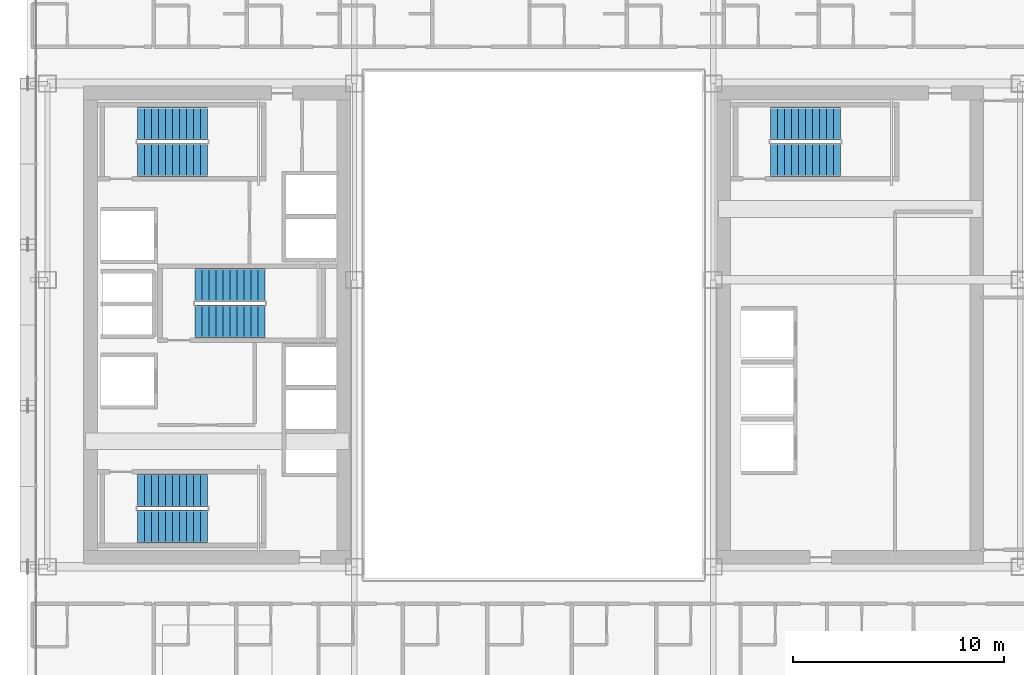
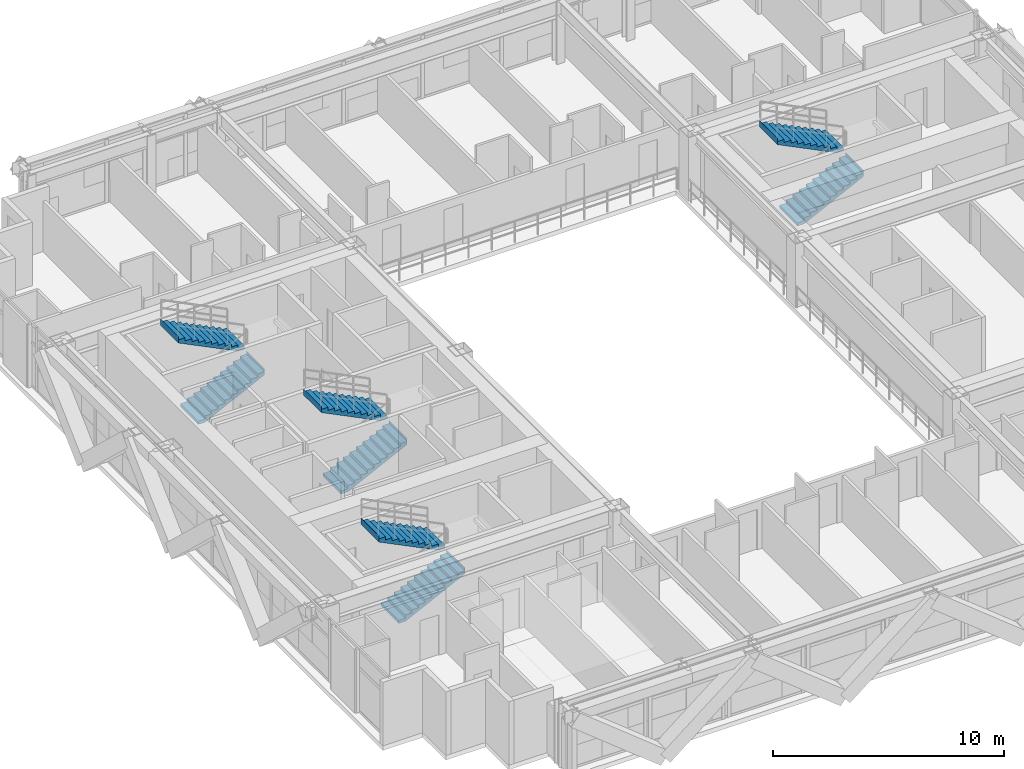
# One storey, part 32 of 36: 8 stair flights, 4 elements without a shape of their own.
"""IFC4 building model written with IfcOpenShell, lengths in metres."""

import ifcopenshell
import ifcopenshell.guid

model = None  # the IFC model being written
_history = None  # IfcOwnerHistory: only IFC2X3 demands one
_inside = {}  # id of a spatial element -> (the spatial element, [elements in it])
_under = {}  # id of a project, library or spatial element -> (it, [spatial elements below it])
_declared = {}  # id of a project -> (the project, [libraries it declares])
_typed = {}  # id of a type object -> (the type object, [elements of that type])
_made_of = {}  # id of a material, layer set ... -> (it, [elements and type objects made of it])


def new_model(schema):
    """Start an empty IFC model of exactly this schema.

    Asked for "IFC4X3", IfcOpenShell would pick the latest addendum, in which some entities
    have other attributes; the version numbers below select the first issue.
    IFC2X3 requires an IfcOwnerHistory on every rooted entity: one is made here for all.
    """
    global model, _history
    if schema == "IFC4X3":
        model = ifcopenshell.file(schema_version=(4, 3, 0, 0))
    else:
        model = ifcopenshell.file(schema=schema)
    _inside.clear()
    _under.clear()
    _declared.clear()
    _typed.clear()
    _made_of.clear()
    _history = None
    if model.schema == "IFC2X3":
        org = make("IfcOrganization", Name="unknown")
        user = make(
            "IfcPersonAndOrganization",
            ThePerson=make("IfcPerson", FamilyName="unknown"),
            TheOrganization=org,
        )
        app = make(
            "IfcApplication",
            ApplicationDeveloper=org,
            Version="unknown",
            ApplicationFullName="unknown",
            ApplicationIdentifier="unknown",
        )
        _history = make(
            "IfcOwnerHistory",
            OwningUser=user,
            OwningApplication=app,
            ChangeAction="ADDED",
            CreationDate=0,
        )
    return model


def make(cls, **values):
    """One entity of the class cls with the attributes given. An attribute that is None is left unset."""
    return model.create_entity(
        cls, **{name: value for name, value in values.items() if value is not None}
    )


def rooted(cls, **values):
    """An entity with a GlobalId (a new one), such as an element, a storey or a relation."""
    return make(cls, GlobalId=ifcopenshell.guid.new(), OwnerHistory=_history, **values)


def si_unit(unit_type, name, prefix=None):
    """IfcSIUnit, for example si_unit("LENGTHUNIT", "METRE", prefix="MILLI")."""
    return make("IfcSIUnit", UnitType=unit_type, Prefix=prefix, Name=name)


def assignment(units):
    """IfcUnitAssignment: the units of a project."""
    return None if units is None else make("IfcUnitAssignment", Units=units)


def point(xyz):
    """IfcCartesianPoint."""
    return None if xyz is None else make("IfcCartesianPoint", Coordinates=xyz)


def direction(xyz):
    """IfcDirection."""
    return None if xyz is None else make("IfcDirection", DirectionRatios=xyz)


def frame(location, z_axis=None, x_axis=None):
    """IfcAxis2Placement3D, a coordinate frame: its origin and axes. An axis left out is left unset."""
    return make(
        "IfcAxis2Placement3D",
        Location=point(location),
        Axis=direction(z_axis),
        RefDirection=direction(x_axis),
    )


def origin():
    """The frame at (0, 0, 0) with its axes left unset."""
    return frame((0.0, 0.0, 0.0))


def place(relative_to, where):
    """IfcLocalPlacement: puts the frame where relative to a parent placement (None: the world)."""
    return make(
        "IfcLocalPlacement", PlacementRelTo=relative_to, RelativePlacement=where
    )


def context(
    kind, dimensions, precision=None, world=None, true_north=None, identifier=None
):
    """IfcGeometricRepresentationContext, for example the 3D "Model" context."""
    return make(
        "IfcGeometricRepresentationContext",
        ContextIdentifier=identifier,
        ContextType=kind,
        CoordinateSpaceDimension=dimensions,
        Precision=precision,
        WorldCoordinateSystem=world,
        TrueNorth=true_north,
    )


def subcontext(parent, identifier, kind, view, scale=None):
    """IfcGeometricRepresentationSubContext, for example "Body" below "Model"."""
    return make(
        "IfcGeometricRepresentationSubContext",
        ContextIdentifier=identifier,
        ContextType=kind,
        ParentContext=parent,
        TargetScale=scale,
        TargetView=view,
    )


def project(units=None, contexts=None):
    """IfcProject with its units and contexts."""
    return rooted(
        "IfcProject",
        Name="project",
        RepresentationContexts=contexts,
        UnitsInContext=assignment(units),
    )


def spatial(cls, under=None, at=None, **own):
    """A site, building, storey or space (cls), placed at a placement, below another one or the project."""
    s = rooted(cls, ObjectPlacement=at, **own)
    if under is not None:
        _under.setdefault(under.id(), (under, []))[1].append(s)
    return s


def polyline(points):
    """IfcPolyline through the points."""
    return make("IfcPolyline", Points=[point(p) for p in points])


def outline(outer, holes=None, kind="AREA"):
    """IfcArbitraryClosedProfileDef: a profile drawn as a closed curve; with holes, ...WithVoids."""
    if holes is None:
        return make("IfcArbitraryClosedProfileDef", ProfileType=kind, OuterCurve=outer)
    return make(
        "IfcArbitraryProfileDefWithVoids",
        ProfileType=kind,
        OuterCurve=outer,
        InnerCurves=holes,
    )


def extrude(swept, where, along, depth):
    """IfcExtrudedAreaSolid: the profile swept, set in the frame where, extruded along a direction by depth."""
    return make(
        "IfcExtrudedAreaSolid",
        SweptArea=swept,
        Position=where,
        ExtrudedDirection=direction(along),
        Depth=depth,
    )


def shape(context_of_items, identifier, shape_type, items):
    """IfcShapeRepresentation: the items that make up one representation, for example the "Body"."""
    return make(
        "IfcShapeRepresentation",
        ContextOfItems=context_of_items,
        RepresentationIdentifier=identifier,
        RepresentationType=shape_type,
        Items=items,
    )


def source(mapping_origin, context_of_items, identifier, shape_type, items):
    """IfcRepresentationMap: a shape defined once, which mapped items show again and again."""
    return make(
        "IfcRepresentationMap",
        MappingOrigin=mapping_origin,
        MappedRepresentation=shape(context_of_items, identifier, shape_type, items),
    )


def transform(
    local_origin,
    x_axis=None,
    y_axis=None,
    z_axis=None,
    scale=None,
    scale2=None,
    scale3=None,
    uniform=True,
):
    """IfcCartesianTransformationOperator3D, or its non-uniform kind. x_axis, y_axis, z_axis: its Axis1, 2, 3."""
    if uniform:
        return make(
            "IfcCartesianTransformationOperator3D",
            Axis1=direction(x_axis),
            Axis2=direction(y_axis),
            LocalOrigin=point(local_origin),
            Scale=scale,
            Axis3=direction(z_axis),
        )
    return make(
        "IfcCartesianTransformationOperator3DnonUniform",
        Axis1=direction(x_axis),
        Axis2=direction(y_axis),
        LocalOrigin=point(local_origin),
        Scale=scale,
        Axis3=direction(z_axis),
        Scale2=scale2,
        Scale3=scale3,
    )


def mapped(mapping_source, mapping_target):
    """IfcMappedItem: shows the shape of a source again, moved by a transform."""
    return make(
        "IfcMappedItem", MappingSource=mapping_source, MappingTarget=mapping_target
    )


def material(Name=None, Category=None):
    """IfcMaterial."""
    return make("IfcMaterial", Name=Name, Category=Category)


def made_of(thing, what):
    """Note that an element or type object is made of a material, layer set ...; save() writes the relation."""
    if what is not None:
        _made_of.setdefault(what.id(), (what, []))[1].append(thing)
    return thing


def type_object(cls, material=None, **own):
    """A type object (cls), such as IfcWallType, which elements share."""
    return made_of(rooted(cls, **own), material)


def element(
    cls,
    number,
    at=None,
    inside=None,
    cuts=None,
    type_object=None,
    material=None,
    context=None,
    identifier="Body",
    shape_type=None,
    held_by="IfcProductDefinitionShape",
    body=None,
    shapes=None,
    **own,
):
    """One element of the class cls, such as IfcWall. Its Tag is "e" and its number.

    at: its placement. inside: the storey or other place that contains it. cuts: it is an
    opening in that element (IfcRelVoidsElement). A single representation is given by context,
    identifier, shape_type and body (its items); several are given by shapes. held_by: the class
    of the entity that holds the representations. save() writes the other relations.
    """
    e = rooted(cls, Tag="e%d" % number, ObjectPlacement=at, **own)
    if body is not None:
        shapes = [shape(context, identifier, shape_type, body)]
    if shapes is not None:
        e.Representation = make(held_by, Representations=shapes)
    if inside is not None:
        _inside.setdefault(inside.id(), (inside, []))[1].append(e)
    if cuts is not None:
        rooted(
            "IfcRelVoidsElement", RelatingBuildingElement=cuts, RelatedOpeningElement=e
        )
    if type_object is not None:
        _typed.setdefault(type_object.id(), (type_object, []))[1].append(e)
    return made_of(e, material)


def aggregate(whole, parts):
    """IfcRelAggregates: a whole, such as a stair, and the parts it consists of."""
    return rooted("IfcRelAggregates", RelatingObject=whole, RelatedObjects=parts)


def save(model, path):
    """Write the relations noted so far, then the file.

    IfcRelAggregates (storeys below a building ...), IfcRelContainedInSpatialStructure (elements
    in a storey), IfcRelDefinesByType, IfcRelAssociatesMaterial and IfcRelDeclares: one each for
    every whole, place, type object, material and project.
    """
    for whole, parts in _under.values():
        aggregate(whole, parts)
    for where, things in _inside.values():
        rooted(
            "IfcRelContainedInSpatialStructure",
            RelatedElements=things,
            RelatingStructure=where,
        )
    for kind, things in _typed.values():
        rooted("IfcRelDefinesByType", RelatedObjects=things, RelatingType=kind)
    for what, things in _made_of.values():
        rooted("IfcRelAssociatesMaterial", RelatedObjects=things, RelatingMaterial=what)
    for by, libraries in _declared.values():
        rooted("IfcRelDeclares", RelatingContext=by, RelatedDefinitions=libraries)
    model.write(path)


model = new_model("IFC4")

# Units and contexts
model_context = context("Model", 3, precision=1e-05, world=origin(), true_north=direction((0.0, 1.0)))
body_context = subcontext(model_context, "Body", "Model", "MODEL_VIEW")
ifc_project = project(units=[si_unit("LENGTHUNIT", "METRE"), si_unit("AREAUNIT", "SQUARE_METRE"), si_unit("VOLUMEUNIT", "CUBIC_METRE"), si_unit("PLANEANGLEUNIT", "RADIAN"), si_unit("MASSUNIT", "GRAM", prefix="KILO")], contexts=[model_context])

# Site, building, storey
site_placement = place(None, origin())
site = spatial("IfcSite", under=ifc_project, at=site_placement, CompositionType="ELEMENT")
building_placement = place(site_placement, origin())
building = spatial("IfcBuilding", under=site, at=building_placement, Name="Ocotamira Hotel", CompositionType="ELEMENT")
storey_placement = place(building_placement, frame((0.0, 0.0, 129.60009765625)))
storey = spatial("IfcBuildingStorey", under=building, at=storey_placement, Name="L32", CompositionType="ELEMENT", Elevation=129.60009765625)

# Stair, stair flights
ifc_material = material(Name="Concrete C40/50", Category="concrete")
stair_type = type_object("IfcStairType", Name="ST-CORE-1560", PredefinedType="HALF_TURN_STAIR", material=ifc_material)
stair_1_placement = place(storey_placement, origin())
stair_1 = element("IfcStair", 1, at=stair_1_placement, inside=storey, type_object=stair_type, Name="L32 Exit Stair ST-1", PredefinedType="HALF_TURN_STAIR")
stair_flight_type = type_object("IfcStairFlightType", Name="STF-CORE-1560", PredefinedType="STRAIGHT", material=ifc_material)
shared_shape = source(origin(), body_context, "Body", "SweptSolid", [
    extrude(outline(polyline([(-0.00390625, 0.0), (-0.00390625, 0.16357421875), (0.330078125, 0.16357421875), (0.330078125, 0.327392578125), (0.659912109375, 0.327392578125), (0.659912109375, 0.490966796875), (0.989990234375, 0.490966796875), (0.989990234375, 0.654541015625), (1.320068359375, 0.654541015625), (1.320068359375, 0.818115234375), (1.64990234375, 0.818115234375), (1.64990234375, 0.98193359375), (1.97998046875, 0.98193359375), (1.97998046875, 1.1455078125), (2.31005859375, 1.1455078125), (2.31005859375, 1.30908203125), (2.639892578125, 1.30908203125), (2.639892578125, 1.47265625), (2.969970703125, 1.47265625), (2.969970703125, 1.636474609375), (3.300048828125, 1.636474609375), (3.300048828125, 1.800048828125), (3.303955078125, 1.800048828125), (3.303955078125, 1.468994140625), (0.33740234375, 0.0), (-0.00390625, 0.0)])), frame((0.0, 0.780029296875, 0.0), z_axis=(0.0, -1.0, 0.0), x_axis=(1.0, 0.0, 0.0)), (0.0, 0.0, 1.0), 1.56005859375),
])
stair_flight_1_placement = place(storey_placement, frame((13.22998046875, 16.449951171875, 0.0), z_axis=(0.0, 0.0, 1.0), x_axis=(1.0, 0.0, 0.0)))
stair_flight_1 = element("IfcStairFlight", 2, at=stair_flight_1_placement, type_object=stair_flight_type, Name="ST-1 flight 1", NumberOfRisers=11, NumberOfTreads=10, PredefinedType="STRAIGHT", RiserHeight=0.163636364, TreadLength=0.33, context=body_context, shape_type="MappedRepresentation", body=[
    mapped(shared_shape, transform((0.0, 0.0, 0.0), scale=1.0)),
])
stair_flight_2_placement = place(storey_placement, frame((16.530029296875, 18.169921875, 1.7998046875), z_axis=(0.0, 0.0, 1.0), x_axis=(-1.0, 0.0, 0.0)))
stair_flight_2 = element("IfcStairFlight", 3, at=stair_flight_2_placement, type_object=stair_flight_type, Name="ST-1 flight 2", NumberOfRisers=11, NumberOfTreads=10, PredefinedType="STRAIGHT", RiserHeight=0.163636364, TreadLength=0.33, context=body_context, shape_type="MappedRepresentation", body=[
    mapped(shared_shape, transform((0.0, 0.0, 0.0), scale=1.0)),
])
aggregate(stair_1, [stair_flight_1, stair_flight_2])

stair_2_placement = place(storey_placement, origin())
stair_2 = element("IfcStair", 4, at=stair_2_placement, inside=storey, type_object=stair_type, Name="L32 Exit Stair ST-2", PredefinedType="HALF_TURN_STAIR")
stair_flight_3_placement = place(storey_placement, frame((13.22998046875, 33.830078125, 0.0), z_axis=(0.0, 0.0, 1.0), x_axis=(1.0, 0.0, 0.0)))
stair_flight_3 = element("IfcStairFlight", 5, at=stair_flight_3_placement, type_object=stair_flight_type, Name="ST-2 flight 1", NumberOfRisers=11, NumberOfTreads=10, PredefinedType="STRAIGHT", RiserHeight=0.163636364, TreadLength=0.33, context=body_context, shape_type="MappedRepresentation", body=[
    mapped(shared_shape, transform((0.0, 0.0, 0.0), scale=1.0)),
])
stair_flight_4_placement = place(storey_placement, frame((16.530029296875, 35.550048828125, 1.7998046875), z_axis=(0.0, 0.0, 1.0), x_axis=(-1.0, 0.0, 0.0)))
stair_flight_4 = element("IfcStairFlight", 6, at=stair_flight_4_placement, type_object=stair_flight_type, Name="ST-2 flight 2", NumberOfRisers=11, NumberOfTreads=10, PredefinedType="STRAIGHT", RiserHeight=0.163636364, TreadLength=0.33, context=body_context, shape_type="MappedRepresentation", body=[
    mapped(shared_shape, transform((0.0, 0.0, 0.0), scale=1.0)),
])
aggregate(stair_2, [stair_flight_3, stair_flight_4])

stair_3_placement = place(storey_placement, origin())
stair_3 = element("IfcStair", 7, at=stair_3_placement, inside=storey, type_object=stair_type, Name="L32 Exit Stair ST-3", PredefinedType="HALF_TURN_STAIR")
stair_flight_5_placement = place(storey_placement, frame((15.9599609375, 26.179931640625, 0.0), z_axis=(0.0, 0.0, 1.0), x_axis=(1.0, 0.0, 0.0)))
stair_flight_5 = element("IfcStairFlight", 8, at=stair_flight_5_placement, type_object=stair_flight_type, Name="ST-3 flight 1", NumberOfRisers=11, NumberOfTreads=10, PredefinedType="STRAIGHT", RiserHeight=0.163636364, TreadLength=0.33, context=body_context, shape_type="MappedRepresentation", body=[
    mapped(shared_shape, transform((0.0, 0.0, 0.0), scale=1.0)),
])
stair_flight_6_placement = place(storey_placement, frame((19.260009765625, 27.89990234375, 1.7998046875), z_axis=(0.0, 0.0, 1.0), x_axis=(-1.0, 0.0, 0.0)))
stair_flight_6 = element("IfcStairFlight", 9, at=stair_flight_6_placement, type_object=stair_flight_type, Name="ST-3 flight 2", NumberOfRisers=11, NumberOfTreads=10, PredefinedType="STRAIGHT", RiserHeight=0.163636364, TreadLength=0.33, context=body_context, shape_type="MappedRepresentation", body=[
    mapped(shared_shape, transform((0.0, 0.0, 0.0), scale=1.0)),
])
aggregate(stair_3, [stair_flight_5, stair_flight_6])

stair_4_placement = place(storey_placement, origin())
stair_4 = element("IfcStair", 10, at=stair_4_placement, inside=storey, type_object=stair_type, Name="L32 Exit Stair ST-4", PredefinedType="HALF_TURN_STAIR")
stair_flight_7_placement = place(storey_placement, frame((43.22998046875, 33.830078125, 0.0), z_axis=(0.0, 0.0, 1.0), x_axis=(1.0, 0.0, 0.0)))
stair_flight_7 = element("IfcStairFlight", 11, at=stair_flight_7_placement, type_object=stair_flight_type, Name="ST-4 flight 1", NumberOfRisers=11, NumberOfTreads=10, PredefinedType="STRAIGHT", RiserHeight=0.163636364, TreadLength=0.33, context=body_context, shape_type="MappedRepresentation", body=[
    mapped(shared_shape, transform((0.0, 0.0, 0.0), scale=1.0)),
])
stair_flight_8_placement = place(storey_placement, frame((46.530029296875, 35.550048828125, 1.7998046875), z_axis=(0.0, 0.0, 1.0), x_axis=(-1.0, 0.0, 0.0)))
stair_flight_8 = element("IfcStairFlight", 12, at=stair_flight_8_placement, type_object=stair_flight_type, Name="ST-4 flight 2", NumberOfRisers=11, NumberOfTreads=10, PredefinedType="STRAIGHT", RiserHeight=0.163636364, TreadLength=0.33, context=body_context, shape_type="MappedRepresentation", body=[
    mapped(shared_shape, transform((0.0, 0.0, 0.0), scale=1.0)),
])
aggregate(stair_4, [stair_flight_7, stair_flight_8])

save(model, "model.ifc")
